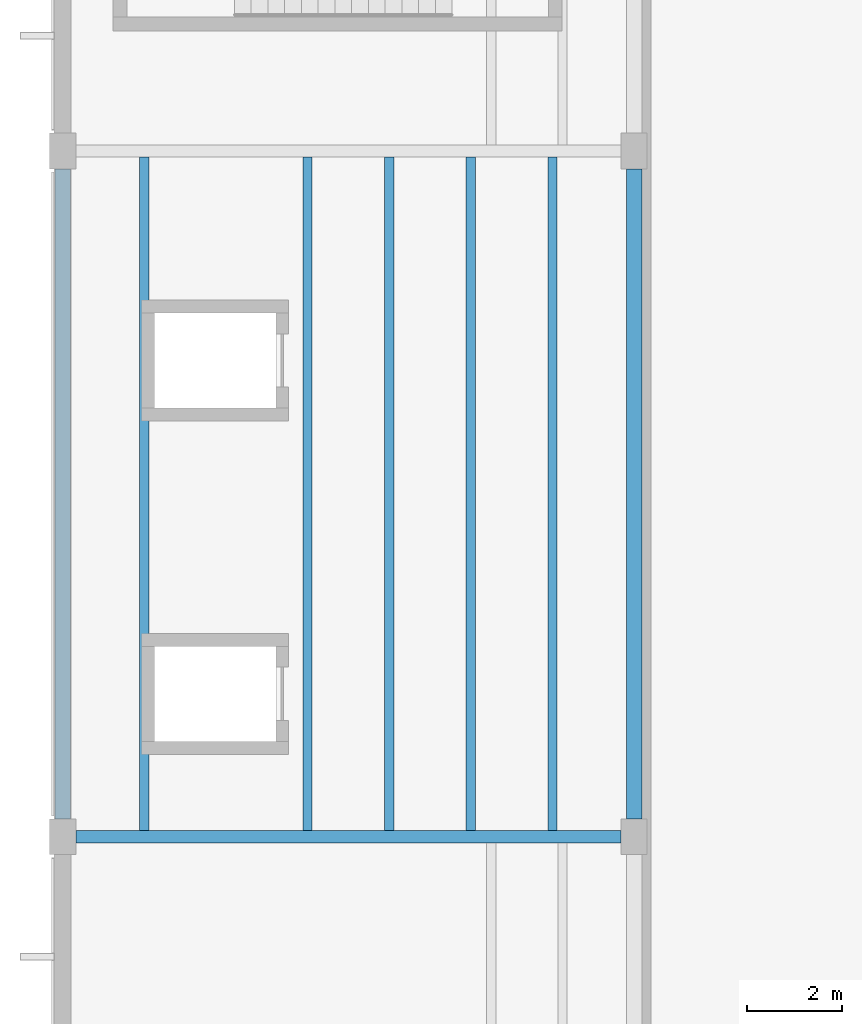
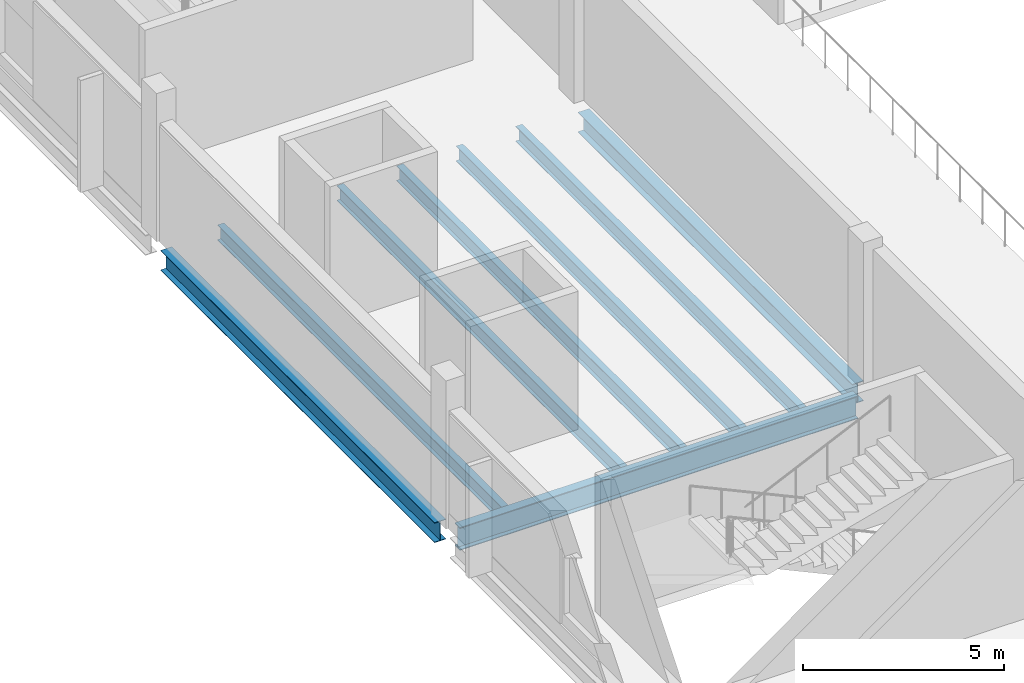
# One storey, part 58 of 114: 8 beams.
"""IFC4 building model written with IfcOpenShell, lengths in metres."""

from ifc_helpers import new_model, si_unit, direction, frame, origin, origin_2d, place, context, subcontext, project, spatial, i_section, extrude, material, material_profile, profile_set, type_object, element, save


model = new_model("IFC4")

# Units and contexts
model_context = context("Model", 3, precision=1e-05, world=origin(), true_north=direction((0.0, 1.0)))
body_context = subcontext(model_context, "Body", "Model", "MODEL_VIEW")
ifc_project = project(units=[si_unit("LENGTHUNIT", "METRE"), si_unit("AREAUNIT", "SQUARE_METRE"), si_unit("VOLUMEUNIT", "CUBIC_METRE"), si_unit("PLANEANGLEUNIT", "RADIAN"), si_unit("MASSUNIT", "GRAM", prefix="KILO")], contexts=[model_context])

# Site, building, storey
site_placement = place(None, origin())
site = spatial("IfcSite", under=ifc_project, at=site_placement, CompositionType="ELEMENT")
building_placement = place(site_placement, origin())
building = spatial("IfcBuilding", under=site, at=building_placement, Name="Kelmvaro Bay Concert Hall", CompositionType="ELEMENT")
storey_placement = place(building_placement, frame((0.0, 0.0, 4.800048828125)))
storey = spatial("IfcBuildingStorey", under=building, at=storey_placement, Name="L01", CompositionType="ELEMENT", Elevation=4.800048828125)

# Beams
ifc_material_1 = material(Name="Steel ASTM A992 Grade 50", Category="steel")
ifc_material_profile_1 = material_profile(ifc_material_1, i_section(OverallWidth=0.19189453125, OverallDepth=0.4619140625, WebThickness=0.010498046875, FlangeThickness=0.017578125, at=origin_2d()), Name="W18X60")
ifc_profile_set_1 = profile_set([ifc_material_profile_1], Name="Steel ASTM A992 Grade 50")
beam_type_1 = type_object("IfcBeamType", Name="Acoustic Box Floor Joist W18x60", PredefinedType="JOIST", material=ifc_profile_set_1)
for number, where, z_axis, x_axis, name in (
    (1, (1.71435546875, 82.927978515625, -0.531005859375), (0.0, 1.0, 0.0), (-1.0, 0.0, 0.0), "L01 Floor Joist JST-L01-0601"),
    (2, (5.142822265625, 82.927978515625, -0.531005859375), (0.0, 1.0, 0.0), (-1.0, 0.0, 0.0), "L01 Floor Joist JST-L01-0602"),
    (3, (6.857177734375, 82.927978515625, -0.531005859375), (0.0, 1.0, 0.0), (-1.0, 0.0, 0.0), "L01 Floor Joist JST-L01-0603"),
    (4, (8.5712890625, 82.927978515625, -0.531005859375), (0.0, 1.0, 0.0), (-1.0, 0.0, 0.0), "L01 Floor Joist JST-L01-0604"),
    (5, (10.28564453125, 82.927978515625, -0.531005859375), (0.0, 1.0, 0.0), (-1.0, 0.0, 0.0), "L01 Floor Joist JST-L01-0605"),
):
    element("IfcBeam", number, at=place(storey_placement, frame(where, z_axis=z_axis, x_axis=x_axis)), inside=storey, type_object=beam_type_1, Name=name, PredefinedType="JOIST", context=body_context, shape_type="SweptSolid", body=[
        extrude(i_section(OverallWidth=0.19189453125, OverallDepth=0.4619140625, WebThickness=0.010498046875, FlangeThickness=0.017578125, at=origin_2d()), origin(), (0.0, 0.0, 1.0), 14.14404296875),
    ])
ifc_material_2 = material(Name="Steel ASTM A992 Grade 50", Category="steel")
ifc_material_profile_2 = material_profile(ifc_material_2, i_section(OverallWidth=0.323974609375, OverallDepth=0.611083984375, WebThickness=0.0126953125, FlangeThickness=0.01904296875, at=origin_2d()), Name="W24X104")
ifc_profile_set_2 = profile_set([ifc_material_profile_2], Name="Steel ASTM A992 Grade 50")
beam_type_2 = type_object("IfcBeamType", Name="Foyer Frame Girder W24x104", PredefinedType="BEAM", material=ifc_profile_set_2)
for number, where, z_axis, x_axis, name in (
    (6, (0.0, 83.175048828125, -0.60546875), (0.0, 1.0, 0.0), (-1.0, 0.0, 0.0), "L01 Girder BM-L01-NS-0125"),
    (7, (12.0, 83.175048828125, -0.60546875), (0.0, 1.0, 0.0), (-1.0, 0.0, 0.0), "L01 Girder BM-L01-NS-0136"),
):
    element("IfcBeam", number, at=place(storey_placement, frame(where, z_axis=z_axis, x_axis=x_axis)), inside=storey, type_object=beam_type_2, Name=name, PredefinedType="BEAM", context=body_context, shape_type="SweptSolid", body=[
        extrude(i_section(OverallWidth=0.323974609375, OverallDepth=0.611083984375, WebThickness=0.0126953125, FlangeThickness=0.01904296875, at=origin_2d()), origin(), (0.0, 0.0, 1.0), 13.64990234375),
    ])
ifc_material_3 = material(Name="Steel ASTM A992 Grade 50", Category="steel")
ifc_material_profile_3 = material_profile(ifc_material_3, i_section(OverallWidth=0.256103515625, OverallDepth=0.693115234375, WebThickness=0.014404296875, FlangeThickness=0.023681640625, at=origin_2d()), Name="W27X114")
ifc_profile_set_3 = profile_set([ifc_material_profile_3], Name="Steel ASTM A992 Grade 50")
beam_type_3 = type_object("IfcBeamType", Name="Foyer Primary Girder W27x114", PredefinedType="BEAM", material=ifc_profile_set_3)
beam_placement = place(storey_placement, frame((0.27490234375, 82.800048828125, -0.646484375), z_axis=(1.0, 0.0, 0.0), x_axis=(0.0, 1.0, 0.0)))
element("IfcBeam", 8, at=beam_placement, inside=storey, type_object=beam_type_3, Name="L01 Girder BM-L01-EW-0091", PredefinedType="BEAM", context=body_context, shape_type="SweptSolid", body=[
    extrude(i_section(OverallWidth=0.256103515625, OverallDepth=0.693115234375, WebThickness=0.014404296875, FlangeThickness=0.023681640625, at=origin_2d()), origin(), (0.0, 0.0, 1.0), 11.4501953125),
])

save(model, "model.ifc")
